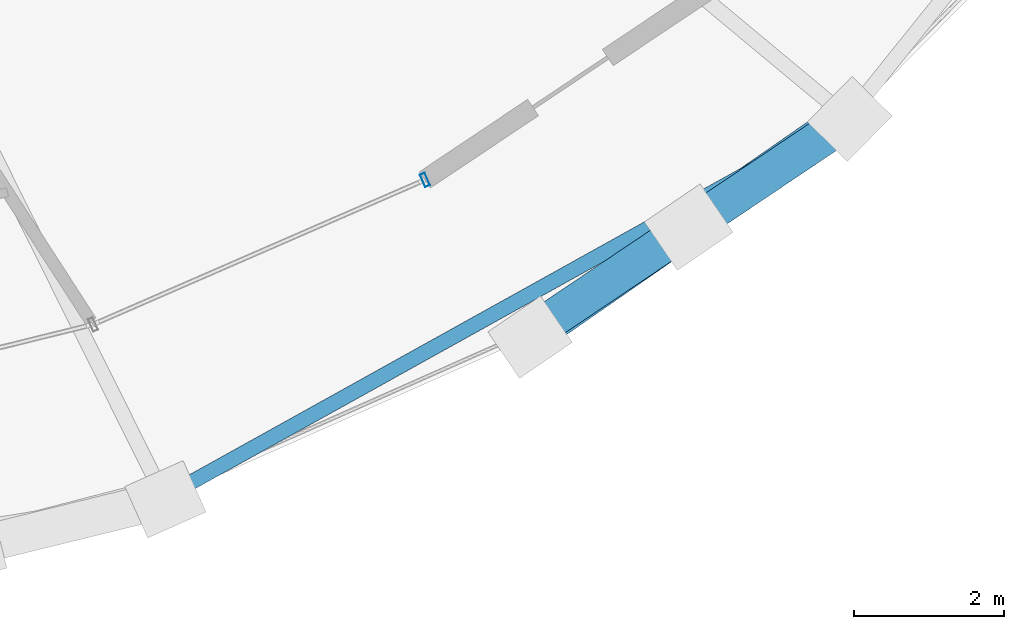
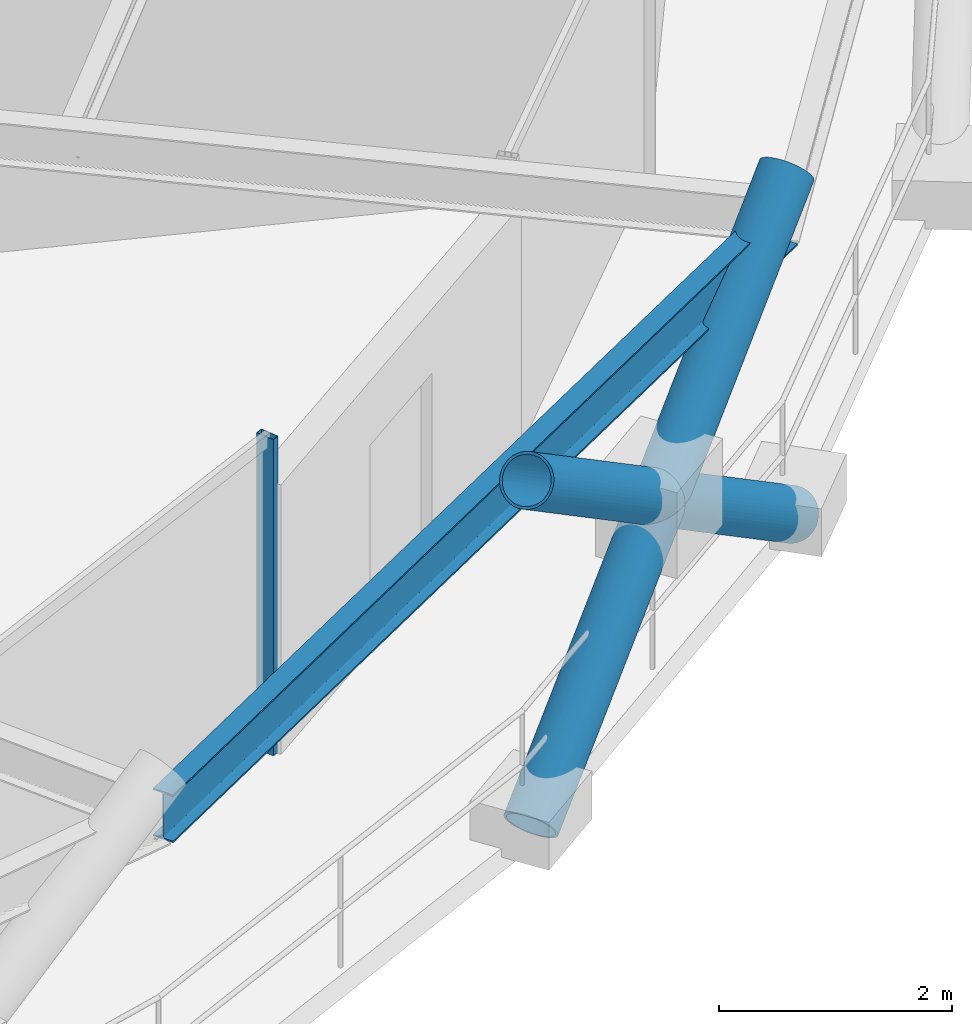
# One storey, part 5 of 19: 4 members, 1 beam, 1 element without a shape of its own.
"""IFC4 building model written with IfcOpenShell, lengths in metres."""

from ifc_helpers import new_model, si_unit, direction, frame, origin, origin_2d, place, context, subcontext, project, spatial, hollow_rectangle, hollow_circle, i_section, extrude, material, layer, layer_set, material_profile, profile_set, type_object, element, aggregate, save


model = new_model("IFC4")

# Units and contexts
model_context = context("Model", 3, precision=1e-05, world=origin(), true_north=direction((0.0, 1.0)))
body_context = subcontext(model_context, "Body", "Model", "MODEL_VIEW")
ifc_project = project(units=[si_unit("LENGTHUNIT", "METRE"), si_unit("AREAUNIT", "SQUARE_METRE"), si_unit("VOLUMEUNIT", "CUBIC_METRE"), si_unit("PLANEANGLEUNIT", "RADIAN"), si_unit("MASSUNIT", "GRAM", prefix="KILO")], contexts=[model_context])

# Site, building, storey
site_placement = place(None, origin())
site = spatial("IfcSite", under=ifc_project, at=site_placement, CompositionType="ELEMENT")
building_placement = place(site_placement, origin())
building = spatial("IfcBuilding", under=site, at=building_placement, Name="Veldorina Hangang Commons", CompositionType="ELEMENT")
storey_placement = place(building_placement, frame((0.0, 0.0, 167.60009765625)))
storey = spatial("IfcBuildingStorey", under=building, at=storey_placement, Name="L43", CompositionType="ELEMENT", Elevation=167.60009765625)

# Beam
ifc_material_1 = material(Name="Steel SM420-TMC", Category="steel")
ifc_material_profile_1 = material_profile(ifc_material_1, i_section(OverallWidth=0.199951171875, OverallDepth=0.5, WebThickness=0.010009765625, FlangeThickness=0.01611328125, FilletRadius=0.01611328125, at=origin_2d()), Name="H-500x200x10x16")
ifc_profile_set_1 = profile_set([ifc_material_profile_1], Name="Steel SM420-TMC")
beam_type = type_object("IfcBeamType", Name="BM-RB500", PredefinedType="BEAM", material=ifc_profile_set_1)
beam_placement = place(storey_placement, frame((42.73583984375, 2.4384765625, 3.099853515625), z_axis=(0.874058830112, 0.485820091705, 0.0), x_axis=(-0.485820091705, 0.874058830112, 0.0)))
element("IfcBeam", 1, at=beam_placement, inside=storey, type_object=beam_type, Name="L43 perimeter hoop ring beam 26", PredefinedType="BEAM", context=body_context, shape_type="SweptSolid", body=[
    extrude(i_section(OverallWidth=0.199951171875, OverallDepth=0.5, WebThickness=0.010009765625, FlangeThickness=0.01611328125, FilletRadius=0.01611328125, at=origin_2d()), origin(), (0.0, 0.0, 1.0), 10.4130859375),
])

# Curtain wall, member
ifc_material_2 = material(Name="Glass Low-E Triple IGU", Category="glass")
ifc_layer = layer(ifc_material_2, 0.179931640625)
ifc_layer_set = layer_set([ifc_layer], Name="Glass Low-E Triple IGU")
curtain_wall_type = type_object("IfcCurtainWallType", Name="CW-SYS-Z2", PredefinedType="NOTDEFINED", material=ifc_layer_set)
curtain_wall_placement = place(storey_placement, origin())
curtain_wall = element("IfcCurtainWall", 2, at=curtain_wall_placement, inside=storey, type_object=curtain_wall_type, Name="L43 unitised curtain wall CW-L43-R1", PredefinedType="NOTDEFINED")
ifc_material_3 = material(Name="Aluminium Anodized AA6063-T6", Category="aluminium")
ifc_material_profile_2 = material_profile(ifc_material_3, hollow_rectangle(XDim=0.070068359375, YDim=0.179931640625, WallThickness=0.00390625, at=origin_2d()), Name="ALU-RHS-180x70x4")
ifc_profile_set_2 = profile_set([ifc_material_profile_2], Name="Aluminium Anodized AA6063-T6")
member_type_1 = type_object("IfcMemberType", Name="CW-MUL-180", PredefinedType="MULLION", material=ifc_profile_set_2)
member_1_placement = place(storey_placement, frame((46.208740234375, 6.66650390625, 0.0), z_axis=(0.0, 0.0, 1.0), x_axis=(-0.916767529688, -0.399421201877, 0.0)))
member_1 = element("IfcMember", 3, at=member_1_placement, type_object=member_type_1, Name="CW-L43-R1 vertical mullion 5", PredefinedType="MULLION", context=body_context, shape_type="SweptSolid", body=[
    extrude(hollow_rectangle(XDim=0.070068359375, YDim=0.179931640625, WallThickness=0.00390625, at=origin_2d()), origin(), (0.0, 0.0, 1.0), 3.309814453125),
])
aggregate(curtain_wall, [member_1])

# Members
ifc_material_profile_3 = material_profile(ifc_material_1, hollow_circle(Radius=0.25, WallThickness=0.02490234375, at=origin_2d()), Name="CHS-500x25")
ifc_profile_set_3 = profile_set([ifc_material_profile_3], Name="Steel SM420-TMC")
member_type_2 = type_object("IfcMemberType", Name="DG-CHS500", PredefinedType="BRACE", material=ifc_profile_set_3)
member_2_placement = place(storey_placement, frame((47.60888671875, 4.5712890625, 0.0), z_axis=(0.673075708122, 0.466807434354, 0.573637438082), x_axis=(-0.569896372741, 0.82171657178, 0.0)))
element("IfcMember", 4, at=member_2_placement, inside=storey, type_object=member_type_2, Name="L43 continuous perimeter diagrid brace 27", PredefinedType="BRACE", context=body_context, shape_type="SweptSolid", body=[
    extrude(hollow_circle(Radius=0.25, WallThickness=0.02490234375, at=origin_2d()), origin(), (0.0, 0.0, 1.0), 6.275390625),
])
member_3_placement = place(storey_placement, frame((51.8662109375, 7.477294921875, 0.0), z_axis=(-0.680842838992, -0.457384342013, 0.57205995514), x_axis=(0.557641743656, -0.830081734369, 0.0)))
element("IfcMember", 5, at=member_3_placement, inside=storey, type_object=member_type_2, Name="L43 split perimeter diagrid lower brace 28", PredefinedType="BRACE", context=body_context, shape_type="SweptSolid", body=[
    extrude(hollow_circle(Radius=0.25, WallThickness=0.02490234375, at=origin_2d()), origin(), (0.0, 0.0, 1.0), 3.148681640625),
])
member_4_placement = place(storey_placement, frame((49.722412109375, 6.037109375, 1.80126953125), z_axis=(-0.680702438566, -0.457503487232, 0.572131758689), x_axis=(0.557821067238, -0.829961238218, 0.0)))
element("IfcMember", 6, at=member_4_placement, inside=storey, type_object=member_type_2, Name="L43 split perimeter diagrid upper brace 28", PredefinedType="BRACE", context=body_context, shape_type="SweptSolid", body=[
    extrude(hollow_circle(Radius=0.25, WallThickness=0.02490234375, at=origin_2d()), origin(), (0.0, 0.0, 1.0), 3.1435546875),
])

save(model, "model.ifc")
